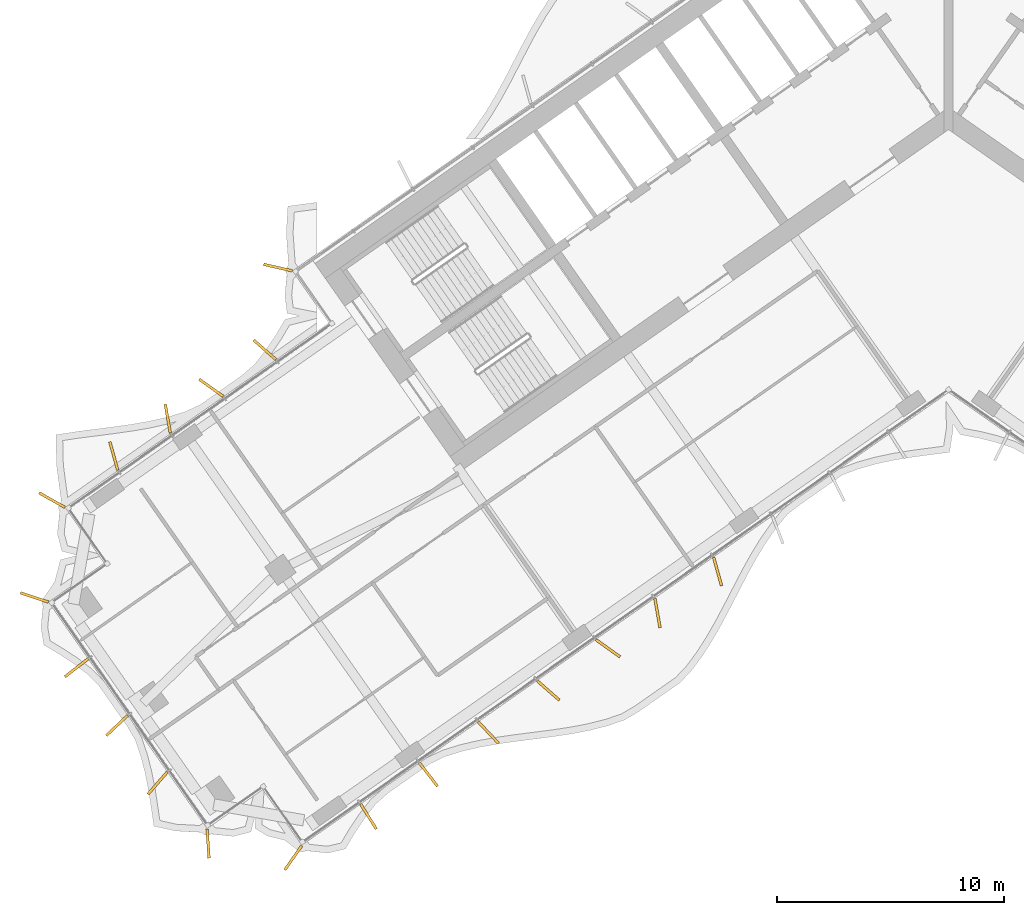
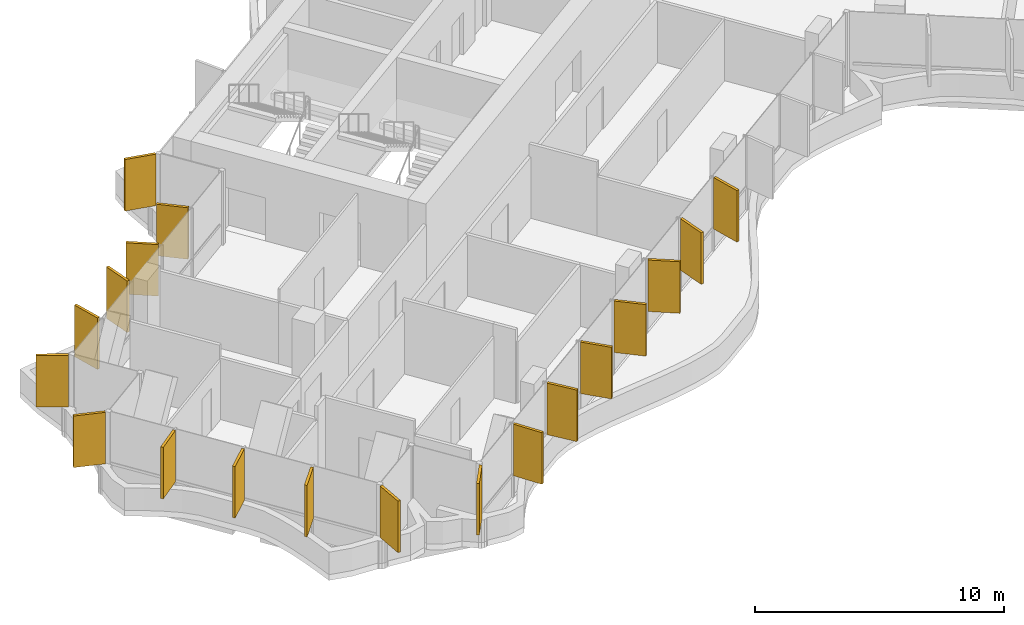
# One storey, part 17 of 21: 19 shading devices.
"""IFC4 building model written with IfcOpenShell, lengths in metres."""

from ifc_helpers import new_model, si_unit, direction, frame, origin, origin_2d, place, context, subcontext, project, spatial, rectangle, extrude, material, layer, layer_set, type_object, element, save


model = new_model("IFC4")

# Units and contexts
model_context = context("Model", 3, precision=1e-05, world=origin(), true_north=direction((0.0, 1.0)))
body_context = subcontext(model_context, "Body", "Model", "MODEL_VIEW")
ifc_project = project(units=[si_unit("LENGTHUNIT", "METRE"), si_unit("AREAUNIT", "SQUARE_METRE"), si_unit("VOLUMEUNIT", "CUBIC_METRE"), si_unit("PLANEANGLEUNIT", "RADIAN"), si_unit("MASSUNIT", "GRAM", prefix="KILO")], contexts=[model_context])

# Site, building, storey
site_placement = place(None, origin())
site = spatial("IfcSite", under=ifc_project, at=site_placement, CompositionType="ELEMENT")
building_placement = place(site_placement, origin())
building = spatial("IfcBuilding", under=site, at=building_placement, Name="Tel Ilan Convention Tower", CompositionType="ELEMENT")
storey_placement = place(building_placement, frame((0.0, 0.0, 163.199951171875)))
storey = spatial("IfcBuildingStorey", under=building, at=storey_placement, Name="L37", CompositionType="ELEMENT", Elevation=163.199951171875)

# Shading devices
ifc_material = material(Name="Aluminium, bronze anodised", Category="aluminium")
ifc_layer = layer(ifc_material, 0.1201171875)
ifc_layer_set = layer_set([ifc_layer], Name="FIN BRONZE 1300x120")
shading_device_type = type_object("IfcShadingDeviceType", Name="FIN BRONZE 1300x120", PredefinedType="USERDEFINED", material=ifc_layer_set)
for number, where, z_axis, x_axis, name in (
    (1, (-29.594970703125, -7.31494140625, 1.10009765625), (0.0, 0.0, 1.0), (-0.975235208752, 0.221170268371, 0.0), "FIN"),
    (2, (-30.177001953125, -10.94287109375, 1.10009765625), (0.0, 0.0, 1.0), (-0.753435896329, 0.657521368568, 0.0), "FIN"),
    (3, (-32.545654296875, -12.61669921875, 1.10009765625), (0.0, 0.0, 1.0), (-0.813552070258, 0.581492071294, 0.0), "FIN"),
    (4, (-34.458984375, -13.97900390625, 1.10009765625), (0.0, 0.0, 1.0), (-0.173648177667, 0.984807753012, 0.0), "FIN"),
    (5, (-36.84375, -15.62646484375, 1.10009765625), (0.0, 0.0, 1.0), (-0.268172612768, 0.963370878614, 0.0), "FIN"),
    (6, (-39.570068359375, -17.574462890625, 1.10009765625), (0.0, 0.0, 1.0), (-0.870832754082, 0.491579408049, 0.0), "FIN"),
    (7, (-40.3466796875, -21.869873046875, 1.10009765625), (0.0, 0.0, 1.0), (-0.949242643575, 0.314544756146, 0.0), "FIN"),
    (8, (-38.48779296875, -24.9736328125, 1.10009765625), (0.0, 0.0, 1.0), (-0.790392669516, -0.612600545196, 0.0), "FIN"),
    (9, (-36.7021484375, -27.523193359375, 1.10009765625), (0.0, 0.0, 1.0), (-0.727373641577, -0.686241637865, 0.0), "FIN"),
    (10, (-34.912109375, -30.068603515625, 1.10009765625), (0.0, 0.0, 1.0), (-0.657521368568, -0.753435896329, 0.0), "FIN"),
    (11, (-32.68212890625, -32.7314453125, 1.10009765625), (0.0, 0.0, 1.0), (0.067821812994, -0.997697449973, 0.0), "FIN"),
    (12, (-28.9228515625, -33.363037109375, 1.10009765625), (0.0, 0.0, 1.0), (-0.573576436351, -0.819152044289, 0.0), "FIN"),
    (13, (-25.6025390625, -31.540771484375, 1.10009765625), (0.0, 0.0, 1.0), (0.533204432798, -0.845986425922, 0.0), "FIN"),
    (14, (-22.9560546875, -29.6875, 1.10009765625), (0.0, 0.0, 1.0), (0.612600545196, -0.790392669516, 0.0), "FIN"),
    (15, (-20.309814453125, -27.834228515625, 1.10009765625), (0.0, 0.0, 1.0), (0.686241637865, -0.727373641577, 0.0), "FIN"),
    (16, (-17.667724609375, -25.9765625, 1.10009765625), (0.0, 0.0, 1.0), (0.753435896329, -0.657521368568, 0.0), "FIN"),
    (17, (-15.0302734375, -24.114501953125, 1.10009765625), (0.0, 0.0, 1.0), (0.813552070258, -0.581492071294, 0.0), "FIN"),
    (18, (-12.84814453125, -22.56396484375, 1.10009765625), (0.0, 0.0, 1.0), (0.173648177667, -0.984807753012, 0.0), "FIN"),
    (19, (-10.19482421875, -20.728515625, 1.10009765625), (0.0, 0.0, 1.0), (0.268172612768, -0.963370878614, 0.0), "FIN"),
):
    element("IfcShadingDevice", number, at=place(storey_placement, frame(where, z_axis=z_axis, x_axis=x_axis)), inside=storey, type_object=shading_device_type, Name=name, ObjectType="FIN", PredefinedType="USERDEFINED", context=body_context, shape_type="SweptSolid", body=[
        extrude(rectangle(XDim=1.300048828125, YDim=0.1201171875, at=origin_2d()), origin(), (0.0, 0.0, 1.0), 2.52001953125),
    ])

save(model, "model.ifc")
